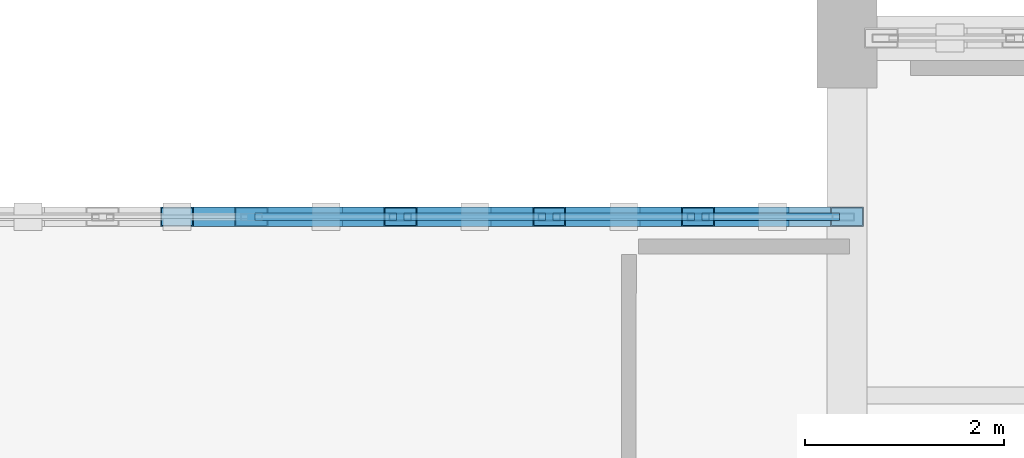
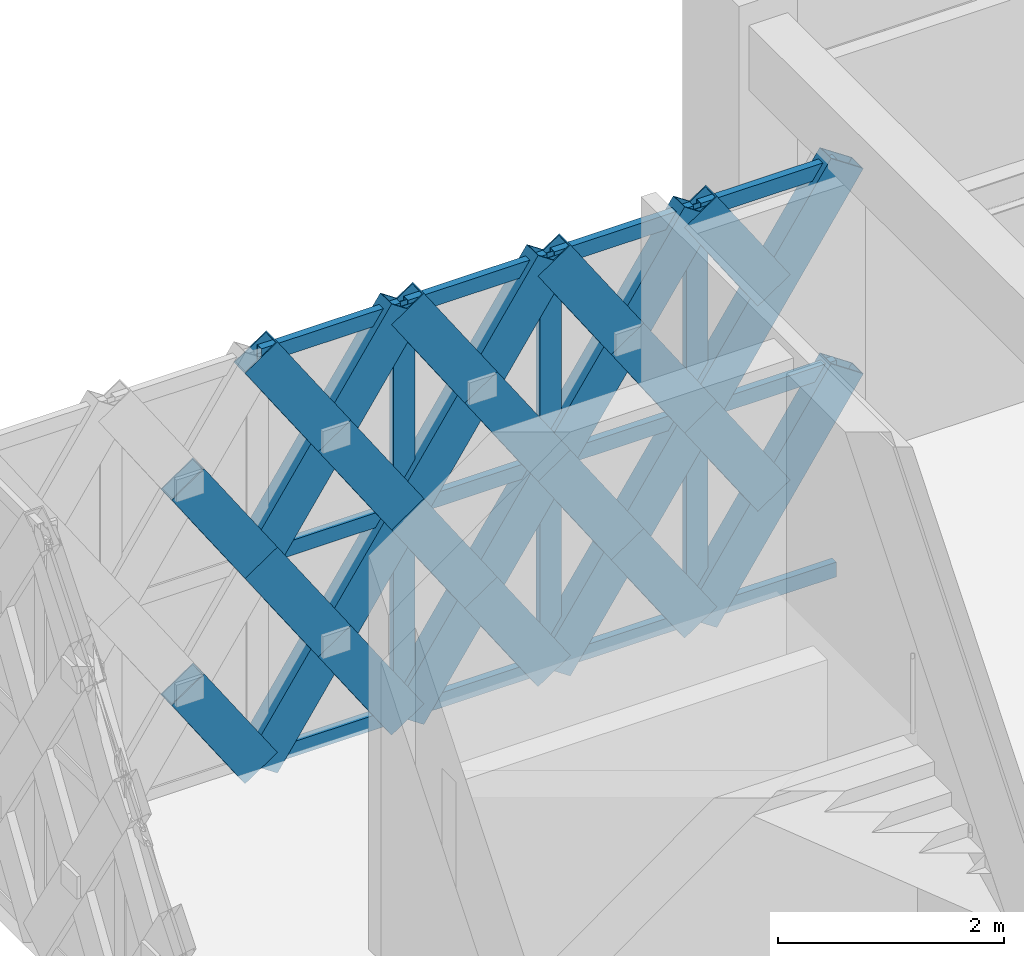
# One storey, part 65 of 155: 39 members, 1 element without a shape of its own.
"""IFC4 building model written with IfcOpenShell, lengths in metres."""

from ifc_helpers import new_model, si_unit, direction, frame, origin, origin_2d, place, context, subcontext, project, spatial, hollow_rectangle, extrude, material, material_profile, profile_set, type_object, element, aggregate, save


model = new_model("IFC4")

# Units and contexts
model_context = context("Model", 3, precision=1e-05, world=origin(), true_north=direction((0.0, 1.0)))
body_context = subcontext(model_context, "Body", "Model", "MODEL_VIEW")
ifc_project = project(units=[si_unit("LENGTHUNIT", "METRE"), si_unit("AREAUNIT", "SQUARE_METRE"), si_unit("VOLUMEUNIT", "CUBIC_METRE"), si_unit("PLANEANGLEUNIT", "RADIAN"), si_unit("MASSUNIT", "GRAM", prefix="KILO")], contexts=[model_context])

# Site, building, storey
site_placement = place(None, origin())
site = spatial("IfcSite", under=ifc_project, at=site_placement, CompositionType="ELEMENT")
building_placement = place(site_placement, origin())
building = spatial("IfcBuilding", under=site, at=building_placement, Name="Haizhuo Lancet Aquarium", CompositionType="ELEMENT")
storey_placement = place(building_placement, frame((0.0, 0.0, 10.800048828125)))
storey = spatial("IfcBuildingStorey", under=building, at=storey_placement, Name="L02", CompositionType="ELEMENT", Elevation=10.800048828125)

# Curtain wall, members
ifc_material_1 = material(Name="Aluminium 6063-T6", Category="aluminium")
curtain_wall_type = type_object("IfcCurtainWallType", Name="CWD-9000x4440", PredefinedType="NOTDEFINED", material=ifc_material_1)
curtain_wall_placement = place(storey_placement, origin())
curtain_wall = element("IfcCurtainWall", 1, at=curtain_wall_placement, inside=storey, type_object=curtain_wall_type, Name="L02 curtain wall CW-V5-L02-146", PredefinedType="NOTDEFINED")
ifc_material_profile_1 = material_profile(ifc_material_1, hollow_rectangle(XDim=0.074951171875, YDim=0.219970703125, WallThickness=0.0048828125, at=origin_2d()), Name="ALU-M 75x220x5")
ifc_profile_set_1 = profile_set([ifc_material_profile_1], Name="Aluminium 6063-T6")
member_type_1 = type_object("IfcMemberType", Name="CW-MUL-2", PredefinedType="MULLION", material=ifc_profile_set_1)
member_1_placement = place(storey_placement, frame((-22.5, 54.0, 0.0), z_axis=(0.0, 0.0, 1.0), x_axis=(0.0, 1.0, 0.0)))
member_1 = element("IfcMember", 2, at=member_1_placement, type_object=member_type_1, Name="CWD-90x44 mullion 4", PredefinedType="MULLION", context=body_context, shape_type="SweptSolid", body=[
    extrude(hollow_rectangle(XDim=0.074951171875, YDim=0.219970703125, WallThickness=0.0048828125, at=origin_2d()), origin(), (0.0, 0.0, 1.0), 4.445068359375),
])
member_2_placement = place(storey_placement, frame((-21.0, 54.0, 0.0), z_axis=(0.0, 0.0, 1.0), x_axis=(0.0, 1.0, 0.0)))
member_2 = element("IfcMember", 3, at=member_2_placement, type_object=member_type_1, Name="CWD-90x44 mullion 5", PredefinedType="MULLION", context=body_context, shape_type="SweptSolid", body=[
    extrude(hollow_rectangle(XDim=0.074951171875, YDim=0.219970703125, WallThickness=0.0048828125, at=origin_2d()), origin(), (0.0, 0.0, 1.0), 4.445068359375),
])
member_3_placement = place(storey_placement, frame((-19.5, 54.0, 0.0), z_axis=(0.0, 0.0, 1.0), x_axis=(0.0, 1.0, 0.0)))
member_3 = element("IfcMember", 4, at=member_3_placement, type_object=member_type_1, Name="CWD-90x44 mullion 6", PredefinedType="MULLION", context=body_context, shape_type="SweptSolid", body=[
    extrude(hollow_rectangle(XDim=0.074951171875, YDim=0.219970703125, WallThickness=0.0048828125, at=origin_2d()), origin(), (0.0, 0.0, 1.0), 4.445068359375),
])
ifc_material_profile_2 = material_profile(ifc_material_1, hollow_rectangle(XDim=0.074951171875, YDim=0.159912109375, WallThickness=0.00390625, at=origin_2d()), Name="ALU-T 75x160x4")
ifc_profile_set_2 = profile_set([ifc_material_profile_2], Name="Aluminium 6063-T6")
member_type_2 = type_object("IfcMemberType", Name="CW-TRN-2", PredefinedType="NOTDEFINED", material=ifc_profile_set_2)
member_4_placement = place(storey_placement, frame((-23.9619140625, 54.0, 0.037841796875), z_axis=(1.0, 0.0, 0.0), x_axis=(0.0, 1.0, 0.0)))
member_4 = element("IfcMember", 5, at=member_4_placement, type_object=member_type_2, Name="CWD-90x44 transom 3.1", ObjectType="TRANSOM", PredefinedType="USERDEFINED", context=body_context, shape_type="SweptSolid", body=[
    extrude(hollow_rectangle(XDim=0.074951171875, YDim=0.159912109375, WallThickness=0.00390625, at=origin_2d()), origin(), (0.0, 0.0, 1.0), 1.423828125),
])
member_5_placement = place(storey_placement, frame((-23.9619140625, 54.0, 2.222900390625), z_axis=(1.0, 0.0, 0.0), x_axis=(0.0, 1.0, 0.0)))
member_5 = element("IfcMember", 6, at=member_5_placement, type_object=member_type_2, Name="CWD-90x44 transom 3.2", ObjectType="TRANSOM", PredefinedType="USERDEFINED", context=body_context, shape_type="SweptSolid", body=[
    extrude(hollow_rectangle(XDim=0.074951171875, YDim=0.159912109375, WallThickness=0.00390625, at=origin_2d()), origin(), (0.0, 0.0, 1.0), 1.423828125),
])
member_6_placement = place(storey_placement, frame((-23.9619140625, 54.0, 4.406982421875), z_axis=(1.0, 0.0, 0.0), x_axis=(0.0, 1.0, 0.0)))
member_6 = element("IfcMember", 7, at=member_6_placement, type_object=member_type_2, Name="CWD-90x44 transom 3.3", ObjectType="TRANSOM", PredefinedType="USERDEFINED", context=body_context, shape_type="SweptSolid", body=[
    extrude(hollow_rectangle(XDim=0.074951171875, YDim=0.159912109375, WallThickness=0.00390625, at=origin_2d()), origin(), (0.0, 0.0, 1.0), 1.423828125),
])
member_7_placement = place(storey_placement, frame((-22.4619140625, 54.0, 0.037841796875), z_axis=(1.0, 0.0, 0.0), x_axis=(0.0, 1.0, 0.0)))
member_7 = element("IfcMember", 8, at=member_7_placement, type_object=member_type_2, Name="CWD-90x44 transom 4.1", ObjectType="TRANSOM", PredefinedType="USERDEFINED", context=body_context, shape_type="SweptSolid", body=[
    extrude(hollow_rectangle(XDim=0.074951171875, YDim=0.159912109375, WallThickness=0.00390625, at=origin_2d()), origin(), (0.0, 0.0, 1.0), 1.423828125),
])
member_8_placement = place(storey_placement, frame((-22.4619140625, 54.0, 2.222900390625), z_axis=(1.0, 0.0, 0.0), x_axis=(0.0, 1.0, 0.0)))
member_8 = element("IfcMember", 9, at=member_8_placement, type_object=member_type_2, Name="CWD-90x44 transom 4.2", ObjectType="TRANSOM", PredefinedType="USERDEFINED", context=body_context, shape_type="SweptSolid", body=[
    extrude(hollow_rectangle(XDim=0.074951171875, YDim=0.159912109375, WallThickness=0.00390625, at=origin_2d()), origin(), (0.0, 0.0, 1.0), 1.423828125),
])
member_9_placement = place(storey_placement, frame((-22.4619140625, 54.0, 4.406982421875), z_axis=(1.0, 0.0, 0.0), x_axis=(0.0, 1.0, 0.0)))
member_9 = element("IfcMember", 10, at=member_9_placement, type_object=member_type_2, Name="CWD-90x44 transom 4.3", ObjectType="TRANSOM", PredefinedType="USERDEFINED", context=body_context, shape_type="SweptSolid", body=[
    extrude(hollow_rectangle(XDim=0.074951171875, YDim=0.159912109375, WallThickness=0.00390625, at=origin_2d()), origin(), (0.0, 0.0, 1.0), 1.423828125),
])
member_10_placement = place(storey_placement, frame((-20.9619140625, 54.0, 0.037841796875), z_axis=(1.0, 0.0, 0.0), x_axis=(0.0, 1.0, 0.0)))
member_10 = element("IfcMember", 11, at=member_10_placement, type_object=member_type_2, Name="CWD-90x44 transom 5.1", ObjectType="TRANSOM", PredefinedType="USERDEFINED", context=body_context, shape_type="SweptSolid", body=[
    extrude(hollow_rectangle(XDim=0.074951171875, YDim=0.159912109375, WallThickness=0.00390625, at=origin_2d()), origin(), (0.0, 0.0, 1.0), 1.423828125),
])
member_11_placement = place(storey_placement, frame((-20.9619140625, 54.0, 2.222900390625), z_axis=(1.0, 0.0, 0.0), x_axis=(0.0, 1.0, 0.0)))
member_11 = element("IfcMember", 12, at=member_11_placement, type_object=member_type_2, Name="CWD-90x44 transom 5.2", ObjectType="TRANSOM", PredefinedType="USERDEFINED", context=body_context, shape_type="SweptSolid", body=[
    extrude(hollow_rectangle(XDim=0.074951171875, YDim=0.159912109375, WallThickness=0.00390625, at=origin_2d()), origin(), (0.0, 0.0, 1.0), 1.423828125),
])
member_12_placement = place(storey_placement, frame((-20.9619140625, 54.0, 4.406982421875), z_axis=(1.0, 0.0, 0.0), x_axis=(0.0, 1.0, 0.0)))
member_12 = element("IfcMember", 13, at=member_12_placement, type_object=member_type_2, Name="CWD-90x44 transom 5.3", ObjectType="TRANSOM", PredefinedType="USERDEFINED", context=body_context, shape_type="SweptSolid", body=[
    extrude(hollow_rectangle(XDim=0.074951171875, YDim=0.159912109375, WallThickness=0.00390625, at=origin_2d()), origin(), (0.0, 0.0, 1.0), 1.423828125),
])
member_13_placement = place(storey_placement, frame((-19.4619140625, 54.0, 0.037841796875), z_axis=(1.0, 0.0, 0.0), x_axis=(0.0, 1.0, 0.0)))
member_13 = element("IfcMember", 14, at=member_13_placement, type_object=member_type_2, Name="CWD-90x44 transom 6.1", ObjectType="TRANSOM", PredefinedType="USERDEFINED", context=body_context, shape_type="SweptSolid", body=[
    extrude(hollow_rectangle(XDim=0.074951171875, YDim=0.159912109375, WallThickness=0.00390625, at=origin_2d()), origin(), (0.0, 0.0, 1.0), 1.386962890625),
])
member_14_placement = place(storey_placement, frame((-19.4619140625, 54.0, 2.222900390625), z_axis=(1.0, 0.0, 0.0), x_axis=(0.0, 1.0, 0.0)))
member_14 = element("IfcMember", 15, at=member_14_placement, type_object=member_type_2, Name="CWD-90x44 transom 6.2", ObjectType="TRANSOM", PredefinedType="USERDEFINED", context=body_context, shape_type="SweptSolid", body=[
    extrude(hollow_rectangle(XDim=0.074951171875, YDim=0.159912109375, WallThickness=0.00390625, at=origin_2d()), origin(), (0.0, 0.0, 1.0), 1.386962890625),
])
member_15_placement = place(storey_placement, frame((-19.4619140625, 54.0, 4.406982421875), z_axis=(1.0, 0.0, 0.0), x_axis=(0.0, 1.0, 0.0)))
member_15 = element("IfcMember", 16, at=member_15_placement, type_object=member_type_2, Name="CWD-90x44 transom 6.3", ObjectType="TRANSOM", PredefinedType="USERDEFINED", context=body_context, shape_type="SweptSolid", body=[
    extrude(hollow_rectangle(XDim=0.074951171875, YDim=0.159912109375, WallThickness=0.00390625, at=origin_2d()), origin(), (0.0, 0.0, 1.0), 1.386962890625),
])
aggregate(curtain_wall, [member_1, member_2, member_3, member_4, member_5, member_6, member_7, member_8, member_9, member_10, member_11, member_12, member_13, member_14, member_15])

# Members
ifc_material_2 = material(Name="Steel S355", Category="steel")
ifc_material_profile_3 = material_profile(ifc_material_2, hollow_rectangle(XDim=0.199951171875, YDim=0.39990234375, WallThickness=0.011962890625, at=origin_2d()), Name="RHS 200x400x12")
ifc_profile_set_3 = profile_set([ifc_material_profile_3], Name="Steel S355")
member_type_3 = type_object("IfcMemberType", Name="MEM-LB-RHS200x400", PredefinedType="BRACE", material=ifc_profile_set_3)
member_16_placement = place(storey_placement, frame((-24.0, 54.0, 0.0), z_axis=(-0.559144577779, 0.0, 0.829070166596), x_axis=(0.0, -1.0, 0.0)))
element("IfcMember", 17, at=member_16_placement, inside=storey, type_object=member_type_3, Name="Gothic lancet split diagonal brace CW-V5-L02-146 3B1", PredefinedType="BRACE", context=body_context, shape_type="SweptSolid", body=[
    extrude(hollow_rectangle(XDim=0.199951171875, YDim=0.39990234375, WallThickness=0.011962890625, at=origin_2d()), origin(), (0.0, 0.0, 1.0), 1.34130859375),
])
member_17_placement = place(storey_placement, frame((-24.0, 54.0, 2.222900390625), z_axis=(-0.559482238724, 0.0, 0.828842339985), x_axis=(0.0, -1.0, 0.0)))
element("IfcMember", 18, at=member_17_placement, inside=storey, type_object=member_type_3, Name="Gothic lancet split diagonal brace CW-V5-L02-146 4B1", PredefinedType="BRACE", context=body_context, shape_type="SweptSolid", body=[
    extrude(hollow_rectangle(XDim=0.199951171875, YDim=0.39990234375, WallThickness=0.011962890625, at=origin_2d()), origin(), (0.0, 0.0, 1.0), 1.340576171875),
])
member_18_placement = place(storey_placement, frame((-24.0, 54.0, 0.0), z_axis=(0.559355578967, 0.0, 0.828927823323), x_axis=(0.0, 1.0, 0.0)))
element("IfcMember", 19, at=member_18_placement, inside=storey, type_object=member_type_3, Name="Gothic lancet continuous diagonal brace CW-V5-L02-146 5A", PredefinedType="BRACE", context=body_context, shape_type="SweptSolid", body=[
    extrude(hollow_rectangle(XDim=0.199951171875, YDim=0.39990234375, WallThickness=0.011962890625, at=origin_2d()), origin(), (0.0, 0.0, 1.0), 2.681640625),
])
member_19_placement = place(storey_placement, frame((-22.5, 54.0, 0.0), z_axis=(-0.559144577779, 0.0, 0.829070166596), x_axis=(0.0, -1.0, 0.0)))
element("IfcMember", 20, at=member_19_placement, inside=storey, type_object=member_type_3, Name="Gothic lancet split diagonal brace CW-V5-L02-146 5B1", PredefinedType="BRACE", context=body_context, shape_type="SweptSolid", body=[
    extrude(hollow_rectangle(XDim=0.199951171875, YDim=0.39990234375, WallThickness=0.011962890625, at=origin_2d()), origin(), (0.0, 0.0, 1.0), 1.34130859375),
])
member_20_placement = place(storey_placement, frame((-23.25, 54.0, 1.112060546875), z_axis=(-0.559566703172, 0.0, 0.828785318826), x_axis=(0.0, -1.0, 0.0)))
element("IfcMember", 21, at=member_20_placement, inside=storey, type_object=member_type_3, Name="Gothic lancet split diagonal brace CW-V5-L02-146 5B2", PredefinedType="BRACE", context=body_context, shape_type="SweptSolid", body=[
    extrude(hollow_rectangle(XDim=0.199951171875, YDim=0.39990234375, WallThickness=0.011962890625, at=origin_2d()), origin(), (0.0, 0.0, 1.0), 1.34033203125),
])
member_21_placement = place(storey_placement, frame((-24.0, 54.0, 2.222900390625), z_axis=(0.559482238724, 0.0, 0.828842339985), x_axis=(0.0, 1.0, 0.0)))
element("IfcMember", 22, at=member_21_placement, inside=storey, type_object=member_type_3, Name="Gothic lancet continuous diagonal brace CW-V5-L02-146 6A", PredefinedType="BRACE", context=body_context, shape_type="SweptSolid", body=[
    extrude(hollow_rectangle(XDim=0.199951171875, YDim=0.39990234375, WallThickness=0.011962890625, at=origin_2d()), origin(), (0.0, 0.0, 1.0), 2.68115234375),
])
for number, where, z_axis, x_axis, name in (
    (23, (-22.5, 54.0, 2.222900390625), (-0.559482238724, 0.0, 0.828842339985), (0.0, -1.0, 0.0), "Gothic lancet split diagonal brace CW-V5-L02-146 6B1"),
    (24, (-23.25, 54.0, 3.333984375), (-0.559482238724, 0.0, 0.828842339985), (0.0, -1.0, 0.0), "Gothic lancet split diagonal brace CW-V5-L02-146 6B2"),
):
    element("IfcMember", number, at=place(storey_placement, frame(where, z_axis=z_axis, x_axis=x_axis)), inside=storey, type_object=member_type_3, Name=name, PredefinedType="BRACE", context=body_context, shape_type="SweptSolid", body=[
        extrude(hollow_rectangle(XDim=0.199951171875, YDim=0.39990234375, WallThickness=0.011962890625, at=origin_2d()), origin(), (0.0, 0.0, 1.0), 1.340576171875),
    ])
member_22_placement = place(storey_placement, frame((-22.5, 54.0, 0.0), z_axis=(0.559355578967, 0.0, 0.828927823323), x_axis=(0.0, 1.0, 0.0)))
element("IfcMember", 25, at=member_22_placement, inside=storey, type_object=member_type_3, Name="Gothic lancet continuous diagonal brace CW-V5-L02-146 7A", PredefinedType="BRACE", context=body_context, shape_type="SweptSolid", body=[
    extrude(hollow_rectangle(XDim=0.199951171875, YDim=0.39990234375, WallThickness=0.011962890625, at=origin_2d()), origin(), (0.0, 0.0, 1.0), 2.681640625),
])
member_23_placement = place(storey_placement, frame((-21.0, 54.0, 0.0), z_axis=(-0.559144577779, 0.0, 0.829070166596), x_axis=(0.0, -1.0, 0.0)))
element("IfcMember", 26, at=member_23_placement, inside=storey, type_object=member_type_3, Name="Gothic lancet split diagonal brace CW-V5-L02-146 7B1", PredefinedType="BRACE", context=body_context, shape_type="SweptSolid", body=[
    extrude(hollow_rectangle(XDim=0.199951171875, YDim=0.39990234375, WallThickness=0.011962890625, at=origin_2d()), origin(), (0.0, 0.0, 1.0), 1.34130859375),
])
member_24_placement = place(storey_placement, frame((-21.75, 54.0, 1.112060546875), z_axis=(-0.559566703172, 0.0, 0.828785318826), x_axis=(0.0, -1.0, 0.0)))
element("IfcMember", 27, at=member_24_placement, inside=storey, type_object=member_type_3, Name="Gothic lancet split diagonal brace CW-V5-L02-146 7B2", PredefinedType="BRACE", context=body_context, shape_type="SweptSolid", body=[
    extrude(hollow_rectangle(XDim=0.199951171875, YDim=0.39990234375, WallThickness=0.011962890625, at=origin_2d()), origin(), (0.0, 0.0, 1.0), 1.34033203125),
])
member_25_placement = place(storey_placement, frame((-22.5, 54.0, 2.222900390625), z_axis=(0.559482238724, 0.0, 0.828842339985), x_axis=(0.0, 1.0, 0.0)))
element("IfcMember", 28, at=member_25_placement, inside=storey, type_object=member_type_3, Name="Gothic lancet continuous diagonal brace CW-V5-L02-146 8A", PredefinedType="BRACE", context=body_context, shape_type="SweptSolid", body=[
    extrude(hollow_rectangle(XDim=0.199951171875, YDim=0.39990234375, WallThickness=0.011962890625, at=origin_2d()), origin(), (0.0, 0.0, 1.0), 2.68115234375),
])
for number, where, z_axis, x_axis, name in (
    (29, (-21.0, 54.0, 2.222900390625), (-0.559482238724, 0.0, 0.828842339985), (0.0, -1.0, 0.0), "Gothic lancet split diagonal brace CW-V5-L02-146 8B1"),
    (30, (-21.75, 54.0, 3.333984375), (-0.559482238724, 0.0, 0.828842339985), (0.0, -1.0, 0.0), "Gothic lancet split diagonal brace CW-V5-L02-146 8B2"),
):
    element("IfcMember", number, at=place(storey_placement, frame(where, z_axis=z_axis, x_axis=x_axis)), inside=storey, type_object=member_type_3, Name=name, PredefinedType="BRACE", context=body_context, shape_type="SweptSolid", body=[
        extrude(hollow_rectangle(XDim=0.199951171875, YDim=0.39990234375, WallThickness=0.011962890625, at=origin_2d()), origin(), (0.0, 0.0, 1.0), 1.340576171875),
    ])
member_26_placement = place(storey_placement, frame((-21.0, 54.0, 0.0), z_axis=(0.559355578967, 0.0, 0.828927823323), x_axis=(0.0, 1.0, 0.0)))
element("IfcMember", 31, at=member_26_placement, inside=storey, type_object=member_type_3, Name="Gothic lancet continuous diagonal brace CW-V5-L02-146 9A", PredefinedType="BRACE", context=body_context, shape_type="SweptSolid", body=[
    extrude(hollow_rectangle(XDim=0.199951171875, YDim=0.39990234375, WallThickness=0.011962890625, at=origin_2d()), origin(), (0.0, 0.0, 1.0), 2.681640625),
])
member_27_placement = place(storey_placement, frame((-19.5, 54.0, 0.0), z_axis=(-0.559144577779, 0.0, 0.829070166596), x_axis=(0.0, -1.0, 0.0)))
element("IfcMember", 32, at=member_27_placement, inside=storey, type_object=member_type_3, Name="Gothic lancet split diagonal brace CW-V5-L02-146 9B1", PredefinedType="BRACE", context=body_context, shape_type="SweptSolid", body=[
    extrude(hollow_rectangle(XDim=0.199951171875, YDim=0.39990234375, WallThickness=0.011962890625, at=origin_2d()), origin(), (0.0, 0.0, 1.0), 1.34130859375),
])
member_28_placement = place(storey_placement, frame((-20.25, 54.0, 1.112060546875), z_axis=(-0.559566703172, 0.0, 0.828785318826), x_axis=(0.0, -1.0, 0.0)))
element("IfcMember", 33, at=member_28_placement, inside=storey, type_object=member_type_3, Name="Gothic lancet split diagonal brace CW-V5-L02-146 9B2", PredefinedType="BRACE", context=body_context, shape_type="SweptSolid", body=[
    extrude(hollow_rectangle(XDim=0.199951171875, YDim=0.39990234375, WallThickness=0.011962890625, at=origin_2d()), origin(), (0.0, 0.0, 1.0), 1.34033203125),
])
member_29_placement = place(storey_placement, frame((-21.0, 54.0, 2.222900390625), z_axis=(0.559482238724, 0.0, 0.828842339985), x_axis=(0.0, 1.0, 0.0)))
element("IfcMember", 34, at=member_29_placement, inside=storey, type_object=member_type_3, Name="Gothic lancet continuous diagonal brace CW-V5-L02-146 10A", PredefinedType="BRACE", context=body_context, shape_type="SweptSolid", body=[
    extrude(hollow_rectangle(XDim=0.199951171875, YDim=0.39990234375, WallThickness=0.011962890625, at=origin_2d()), origin(), (0.0, 0.0, 1.0), 2.68115234375),
])
for number, where, z_axis, x_axis, name in (
    (35, (-19.5, 54.0, 2.222900390625), (-0.559482238724, 0.0, 0.828842339985), (0.0, -1.0, 0.0), "Gothic lancet split diagonal brace CW-V5-L02-146 10B1"),
    (36, (-20.25, 54.0, 3.333984375), (-0.559482238724, 0.0, 0.828842339985), (0.0, -1.0, 0.0), "Gothic lancet split diagonal brace CW-V5-L02-146 10B2"),
):
    element("IfcMember", number, at=place(storey_placement, frame(where, z_axis=z_axis, x_axis=x_axis)), inside=storey, type_object=member_type_3, Name=name, PredefinedType="BRACE", context=body_context, shape_type="SweptSolid", body=[
        extrude(hollow_rectangle(XDim=0.199951171875, YDim=0.39990234375, WallThickness=0.011962890625, at=origin_2d()), origin(), (0.0, 0.0, 1.0), 1.340576171875),
    ])
member_30_placement = place(storey_placement, frame((-19.5, 54.0, 0.0), z_axis=(0.559355578967, 0.0, 0.828927823323), x_axis=(0.0, 1.0, 0.0)))
element("IfcMember", 37, at=member_30_placement, inside=storey, type_object=member_type_3, Name="Gothic lancet continuous diagonal brace CW-V5-L02-146 11A", PredefinedType="BRACE", context=body_context, shape_type="SweptSolid", body=[
    extrude(hollow_rectangle(XDim=0.199951171875, YDim=0.39990234375, WallThickness=0.011962890625, at=origin_2d()), origin(), (0.0, 0.0, 1.0), 2.681640625),
])
member_31_placement = place(storey_placement, frame((-18.75, 54.0, 1.112060546875), z_axis=(-0.559566703172, 0.0, 0.828785318826), x_axis=(0.0, -1.0, 0.0)))
element("IfcMember", 38, at=member_31_placement, inside=storey, type_object=member_type_3, Name="Gothic lancet split diagonal brace CW-V5-L02-146 11B2", PredefinedType="BRACE", context=body_context, shape_type="SweptSolid", body=[
    extrude(hollow_rectangle(XDim=0.199951171875, YDim=0.39990234375, WallThickness=0.011962890625, at=origin_2d()), origin(), (0.0, 0.0, 1.0), 1.34033203125),
])
member_32_placement = place(storey_placement, frame((-19.5, 54.0, 2.222900390625), z_axis=(0.559482238724, 0.0, 0.828842339985), x_axis=(0.0, 1.0, 0.0)))
element("IfcMember", 39, at=member_32_placement, inside=storey, type_object=member_type_3, Name="Gothic lancet continuous diagonal brace CW-V5-L02-146 12A", PredefinedType="BRACE", context=body_context, shape_type="SweptSolid", body=[
    extrude(hollow_rectangle(XDim=0.199951171875, YDim=0.39990234375, WallThickness=0.011962890625, at=origin_2d()), origin(), (0.0, 0.0, 1.0), 2.68115234375),
])
member_33_placement = place(storey_placement, frame((-18.75, 54.0, 3.333984375), z_axis=(-0.559482238724, 0.0, 0.828842339985), x_axis=(0.0, -1.0, 0.0)))
element("IfcMember", 40, at=member_33_placement, inside=storey, type_object=member_type_3, Name="Gothic lancet split diagonal brace CW-V5-L02-146 12B2", PredefinedType="BRACE", context=body_context, shape_type="SweptSolid", body=[
    extrude(hollow_rectangle(XDim=0.199951171875, YDim=0.39990234375, WallThickness=0.011962890625, at=origin_2d()), origin(), (0.0, 0.0, 1.0), 1.340576171875),
])

save(model, "model.ifc")
